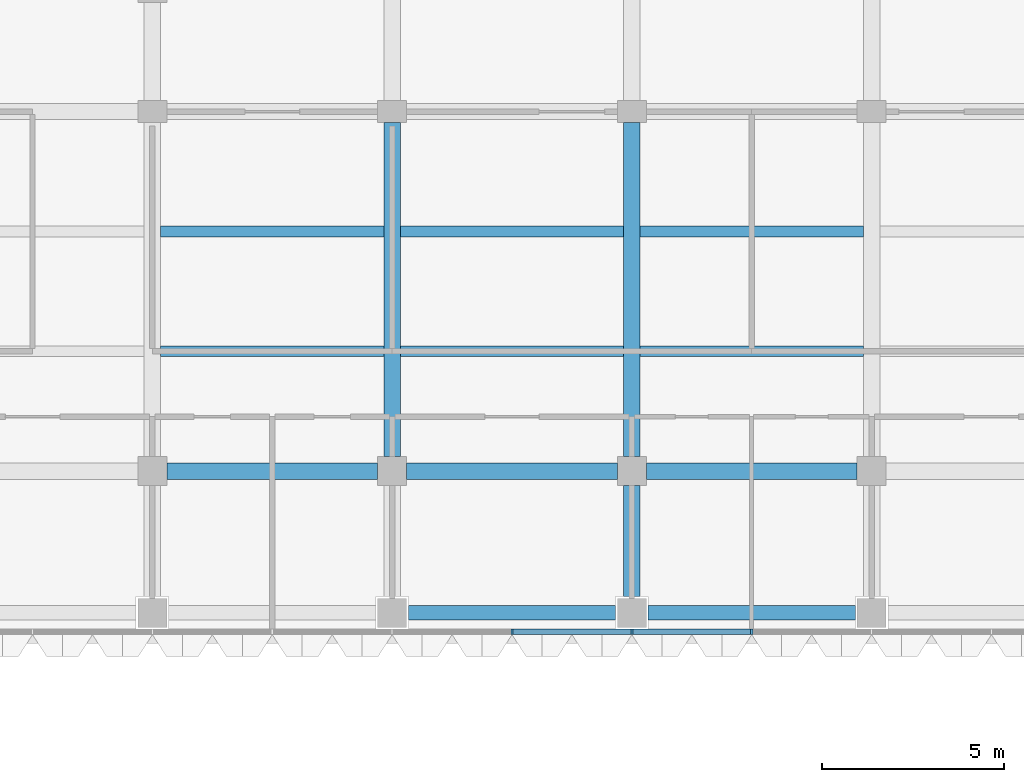
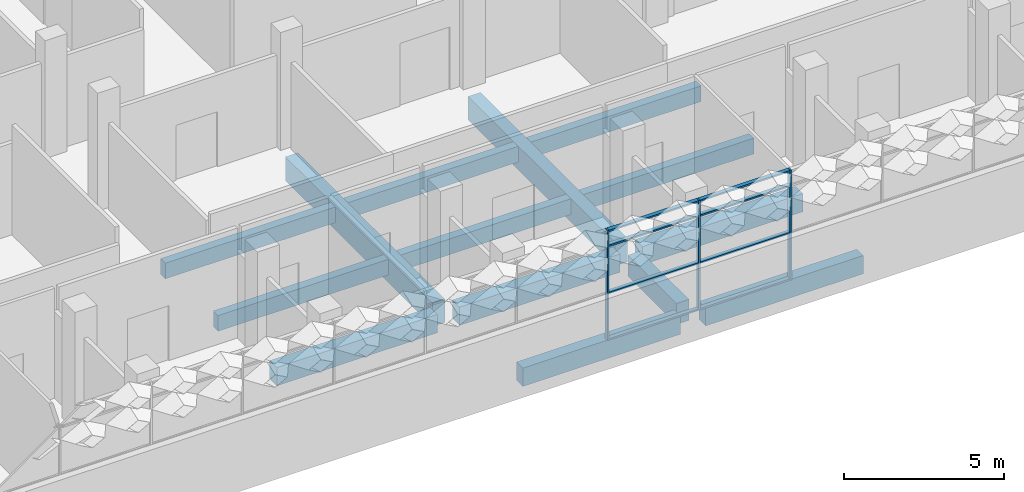
# One storey, part 3 of 102: 14 beams, 11 members, 1 element without a shape of its own.
"""IFC4 building model written with IfcOpenShell, lengths in metres."""

from ifc_helpers import new_model, si_unit, direction, frame, origin, origin_2d, place, context, subcontext, project, spatial, rectangle, extrude, material, material_profile, profile_set, type_object, element, aggregate, save


model = new_model("IFC4")

# Units and contexts
model_context = context("Model", 3, precision=1e-05, world=origin(), true_north=direction((0.0, 1.0)))
body_context = subcontext(model_context, "Body", "Model", "MODEL_VIEW")
ifc_project = project(units=[si_unit("LENGTHUNIT", "METRE"), si_unit("AREAUNIT", "SQUARE_METRE"), si_unit("VOLUMEUNIT", "CUBIC_METRE"), si_unit("PLANEANGLEUNIT", "RADIAN"), si_unit("MASSUNIT", "GRAM", prefix="KILO")], contexts=[model_context])

# Site, building, storey
site_placement = place(None, origin())
site = spatial("IfcSite", under=ifc_project, at=site_placement, CompositionType="ELEMENT")
building_placement = place(site_placement, origin())
building = spatial("IfcBuilding", under=site, at=building_placement, Name="Lantern Court Research Institute", CompositionType="ELEMENT")
storey_placement = place(building_placement, frame((0.0, 0.0, 9.89990234375)))
storey = spatial("IfcBuildingStorey", under=building, at=storey_placement, Name="L02", CompositionType="ELEMENT", Elevation=9.89990234375)

# Curtain wall, members
ifc_material_1 = material(Name="Aluminium alloy 6063-T6", Category="aluminium")
curtain_wall_type = type_object("IfcCurtainWallType", Name="Curtain wall 52800 x 4200 x 150 aluminium frame", PredefinedType="NOTDEFINED", material=ifc_material_1)
curtain_wall_placement = place(storey_placement, origin())
curtain_wall = element("IfcCurtainWall", 1, at=curtain_wall_placement, inside=storey, type_object=curtain_wall_type, Name="Curtain wall CW041", PredefinedType="NOTDEFINED")
ifc_material_2 = material(Name="Aluminium alloy 6063-T6", Category="aluminium")
ifc_material_profile_1 = material_profile(ifc_material_2, rectangle(XDim=0.14990234375, YDim=0.06005859375, at=origin_2d()), Name="Mullion 150 x 60")
ifc_profile_set_1 = profile_set([ifc_material_profile_1], Name="Aluminium alloy 6063-T6")
member_type_1 = type_object("IfcMemberType", Name="Mullion 150 x 60 aluminium", PredefinedType="MULLION", material=ifc_profile_set_1)
member_1_placement = place(storey_placement, frame((23.10009765625, -4.425048828125, 0.0), z_axis=(0.0, 0.0, 1.0), x_axis=(0.0, -1.0, 0.0)))
member_1 = element("IfcMember", 2, at=member_1_placement, type_object=member_type_1, Name="CW041 mullion 8", PredefinedType="MULLION", context=body_context, shape_type="SweptSolid", body=[
    extrude(rectangle(XDim=0.14990234375, YDim=0.06005859375, at=origin_2d()), origin(), (0.0, 0.0, 1.0), 4.2001953125),
])
member_2_placement = place(storey_placement, frame((26.39990234375, -4.425048828125, 0.0), z_axis=(0.0, 0.0, 1.0), x_axis=(0.0, -1.0, 0.0)))
member_2 = element("IfcMember", 3, at=member_2_placement, type_object=member_type_1, Name="CW041 mullion 9", PredefinedType="MULLION", context=body_context, shape_type="SweptSolid", body=[
    extrude(rectangle(XDim=0.14990234375, YDim=0.06005859375, at=origin_2d()), origin(), (0.0, 0.0, 1.0), 4.2001953125),
])
member_3_placement = place(storey_placement, frame((29.699951171875, -4.425048828125, 0.0), z_axis=(0.0, 0.0, 1.0), x_axis=(0.0, -1.0, 0.0)))
member_3 = element("IfcMember", 4, at=member_3_placement, type_object=member_type_1, Name="CW041 mullion 10", PredefinedType="MULLION", context=body_context, shape_type="SweptSolid", body=[
    extrude(rectangle(XDim=0.14990234375, YDim=0.06005859375, at=origin_2d()), origin(), (0.0, 0.0, 1.0), 4.2001953125),
])

# Beams
ifc_material_3 = material(Name="Concrete C40/50", Category="concrete")
ifc_material_profile_2 = material_profile(ifc_material_3, rectangle(XDim=0.449951171875, YDim=0.699951171875, at=origin_2d()), Name="RC beam 450 x 700")
ifc_profile_set_2 = profile_set([ifc_material_profile_2], Name="Concrete C40/50")
beam_type_1 = type_object("IfcBeamType", Name="RC beam 450 x 700", PredefinedType="BEAM", material=ifc_profile_set_2)
beam_1_placement = place(storey_placement, frame((13.60009765625, 0.0, -0.64990234375), z_axis=(1.0, 0.0, 0.0), x_axis=(0.0, 1.0, 0.0)))
element("IfcBeam", 5, at=beam_1_placement, inside=storey, type_object=beam_type_1, Name="Beam L02 grid A/3-4", PredefinedType="BEAM", context=body_context, shape_type="SweptSolid", body=[
    extrude(rectangle(XDim=0.449951171875, YDim=0.699951171875, at=origin_2d()), origin(), (0.0, 0.0, 1.0), 5.7998046875),
])
for number, where, z_axis, x_axis, name in (
    (6, (20.199951171875, 0.0, -0.64990234375), (1.0, 0.0, 0.0), (0.0, 1.0, 0.0), "Beam L02 grid A/4-5"),
    (7, (26.800048828125, 0.0, -0.64990234375), (1.0, 0.0, 0.0), (0.0, 1.0, 0.0), "Beam L02 grid A/5-6"),
):
    element("IfcBeam", number, at=place(storey_placement, frame(where, z_axis=z_axis, x_axis=x_axis)), inside=storey, type_object=beam_type_1, Name=name, PredefinedType="BEAM", context=body_context, shape_type="SweptSolid", body=[
        extrude(rectangle(XDim=0.449951171875, YDim=0.699951171875, at=origin_2d()), origin(), (0.0, 0.0, 1.0), 5.800048828125),
    ])
ifc_material_4 = material(Name="Concrete C40/50", Category="concrete")
ifc_material_profile_3 = material_profile(ifc_material_4, rectangle(XDim=0.39990234375, YDim=0.699951171875, at=origin_2d()), Name="RC beam 400 x 700")
ifc_profile_set_3 = profile_set([ifc_material_profile_3], Name="Concrete C40/50")
beam_type_2 = type_object("IfcBeamType", Name="RC edge beam 400 x 700", PredefinedType="BEAM", material=ifc_profile_set_3)
for number, where, z_axis, x_axis, name in (
    (8, (20.25, -3.89990234375, -0.64990234375), (1.0, 0.0, 0.0), (0.0, 1.0, 0.0), "Edge beam L02 grid Y/4-5"),
    (9, (26.85009765625, -3.89990234375, -0.64990234375), (1.0, 0.0, 0.0), (0.0, 1.0, 0.0), "Edge beam L02 grid Y/5-6"),
):
    element("IfcBeam", number, at=place(storey_placement, frame(where, z_axis=z_axis, x_axis=x_axis)), inside=storey, type_object=beam_type_2, Name=name, PredefinedType="BEAM", context=body_context, shape_type="SweptSolid", body=[
        extrude(rectangle(XDim=0.39990234375, YDim=0.699951171875, at=origin_2d()), origin(), (0.0, 0.0, 1.0), 5.699951171875),
    ])
ifc_material_5 = material(Name="Concrete C40/50", Category="concrete")
ifc_material_profile_4 = material_profile(ifc_material_5, rectangle(XDim=0.449951171875, YDim=0.800048828125, at=origin_2d()), Name="RC beam 450 x 800")
ifc_profile_set_4 = profile_set([ifc_material_profile_4], Name="Concrete C40/50")
beam_type_3 = type_object("IfcBeamType", Name="RC girder 450 x 800", PredefinedType="BEAM", material=ifc_profile_set_4)
beam_2_placement = place(storey_placement, frame((26.39990234375, -3.449951171875, -0.699951171875), z_axis=(0.0, 1.0, 0.0), x_axis=(-1.0, 0.0, 0.0)))
element("IfcBeam", 10, at=beam_2_placement, inside=storey, type_object=beam_type_3, Name="Girder L02 grid 5/Y-A", PredefinedType="BEAM", context=body_context, shape_type="SweptSolid", body=[
    extrude(rectangle(XDim=0.449951171875, YDim=0.800048828125, at=origin_2d()), origin(), (0.0, 0.0, 1.0), 3.050048828125),
])
ifc_material_6 = material(Name="Concrete C40/50", Category="concrete")
ifc_material_profile_5 = material_profile(ifc_material_6, rectangle(XDim=0.449951171875, YDim=0.89990234375, at=origin_2d()), Name="RC beam 450 x 900")
ifc_profile_set_5 = profile_set([ifc_material_profile_5], Name="Concrete C40/50")
beam_type_4 = type_object("IfcBeamType", Name="RC girder 450 x 900", PredefinedType="BEAM", material=ifc_profile_set_5)
for number, where, z_axis, x_axis, name in (
    (11, (19.800048828125, 0.39990234375, -0.75), (0.0, 1.0, 0.0), (-1.0, 0.0, 0.0), "Girder L02 grid 4/A-B"),
    (12, (26.39990234375, 0.39990234375, -0.75), (0.0, 1.0, 0.0), (-1.0, 0.0, 0.0), "Girder L02 grid 5/A-B"),
):
    element("IfcBeam", number, at=place(storey_placement, frame(where, z_axis=z_axis, x_axis=x_axis)), inside=storey, type_object=beam_type_4, Name=name, PredefinedType="BEAM", context=body_context, shape_type="SweptSolid", body=[
        extrude(rectangle(XDim=0.449951171875, YDim=0.89990234375, at=origin_2d()), origin(), (0.0, 0.0, 1.0), 9.2001953125),
    ])
ifc_material_7 = material(Name="Concrete C40/50", Category="concrete")
ifc_material_profile_6 = material_profile(ifc_material_7, rectangle(XDim=0.300048828125, YDim=0.60009765625, at=origin_2d()), Name="RC beam 300 x 600")
ifc_profile_set_6 = profile_set([ifc_material_profile_6], Name="Concrete C40/50")
beam_type_5 = type_object("IfcBeamType", Name="RC secondary beam 300 x 600", PredefinedType="BEAM", material=ifc_profile_set_6)
beam_3_placement = place(storey_placement, frame((13.425048828125, 3.300048828125, -0.599853515625), z_axis=(1.0, 0.0, 0.0), x_axis=(0.0, 1.0, 0.0)))
element("IfcBeam", 13, at=beam_3_placement, inside=storey, type_object=beam_type_5, Name="Secondary beam L02 grids 3-4 / A-B, line 1", PredefinedType="BEAM", context=body_context, shape_type="SweptSolid", body=[
    extrude(rectangle(XDim=0.300048828125, YDim=0.60009765625, at=origin_2d()), origin(), (0.0, 0.0, 1.0), 6.14990234375),
])
beam_4_placement = place(storey_placement, frame((20.02490234375, 3.300048828125, -0.599853515625), z_axis=(1.0, 0.0, 0.0), x_axis=(0.0, 1.0, 0.0)))
element("IfcBeam", 14, at=beam_4_placement, inside=storey, type_object=beam_type_5, Name="Secondary beam L02 grids 4-5 / A-B, line 1", PredefinedType="BEAM", context=body_context, shape_type="SweptSolid", body=[
    extrude(rectangle(XDim=0.300048828125, YDim=0.60009765625, at=origin_2d()), origin(), (0.0, 0.0, 1.0), 6.150146484375),
])
for number, where, z_axis, x_axis, name in (
    (15, (26.625, 3.300048828125, -0.599853515625), (1.0, 0.0, 0.0), (0.0, 1.0, 0.0), "Secondary beam L02 grids 5-6 / A-B, line 1"),
    (16, (13.425048828125, 6.60009765625, -0.599853515625), (1.0, 0.0, 0.0), (0.0, 1.0, 0.0), "Secondary beam L02 grids 3-4 / A-B, line 2"),
):
    element("IfcBeam", number, at=place(storey_placement, frame(where, z_axis=z_axis, x_axis=x_axis)), inside=storey, type_object=beam_type_5, Name=name, PredefinedType="BEAM", context=body_context, shape_type="SweptSolid", body=[
        extrude(rectangle(XDim=0.300048828125, YDim=0.60009765625, at=origin_2d()), origin(), (0.0, 0.0, 1.0), 6.14990234375),
    ])
beam_5_placement = place(storey_placement, frame((20.02490234375, 6.60009765625, -0.599853515625), z_axis=(1.0, 0.0, 0.0), x_axis=(0.0, 1.0, 0.0)))
element("IfcBeam", 17, at=beam_5_placement, inside=storey, type_object=beam_type_5, Name="Secondary beam L02 grids 4-5 / A-B, line 2", PredefinedType="BEAM", context=body_context, shape_type="SweptSolid", body=[
    extrude(rectangle(XDim=0.300048828125, YDim=0.60009765625, at=origin_2d()), origin(), (0.0, 0.0, 1.0), 6.150146484375),
])
beam_6_placement = place(storey_placement, frame((26.625, 6.60009765625, -0.599853515625), z_axis=(1.0, 0.0, 0.0), x_axis=(0.0, 1.0, 0.0)))
element("IfcBeam", 18, at=beam_6_placement, inside=storey, type_object=beam_type_5, Name="Secondary beam L02 grids 5-6 / A-B, line 2", PredefinedType="BEAM", context=body_context, shape_type="SweptSolid", body=[
    extrude(rectangle(XDim=0.300048828125, YDim=0.60009765625, at=origin_2d()), origin(), (0.0, 0.0, 1.0), 6.14990234375),
])

# Member
ifc_material_8 = material(Name="Aluminium alloy 6063-T6", Category="aluminium")
ifc_material_profile_7 = material_profile(ifc_material_8, rectangle(XDim=0.14990234375, YDim=0.06005859375, at=origin_2d()), Name="Transom 150 x 60")
ifc_profile_set_7 = profile_set([ifc_material_profile_7], Name="Aluminium alloy 6063-T6")
member_type_2 = type_object("IfcMemberType", Name="Transom 150 x 60 aluminium", PredefinedType="USERDEFINED", material=ifc_profile_set_7)
member_4_placement = place(storey_placement, frame((26.3701171875, -4.425048828125, 0.030029296875), z_axis=(-1.0, 0.0, 0.0), x_axis=(0.0, -1.0, 0.0)))
member_4 = element("IfcMember", 19, at=member_4_placement, type_object=member_type_2, Name="CW041 transom 8.1", ObjectType="TRANSOM", PredefinedType="USERDEFINED", context=body_context, shape_type="SweptSolid", body=[
    extrude(rectangle(XDim=0.14990234375, YDim=0.06005859375, at=origin_2d()), origin(), (0.0, 0.0, 1.0), 3.240234375),
])

member_5_placement = place(storey_placement, frame((26.3701171875, -4.425048828125, 1.800048828125), z_axis=(-1.0, 0.0, 0.0), x_axis=(0.0, -1.0, 0.0)))
member_5 = element("IfcMember", 20, at=member_5_placement, type_object=member_type_2, Name="CW041 transom 8.2", ObjectType="TRANSOM", PredefinedType="USERDEFINED", context=body_context, shape_type="SweptSolid", body=[
    extrude(rectangle(XDim=0.14990234375, YDim=0.06005859375, at=origin_2d()), origin(), (0.0, 0.0, 1.0), 3.240234375),
])

member_6_placement = place(storey_placement, frame((26.3701171875, -4.425048828125, 3.60009765625), z_axis=(-1.0, 0.0, 0.0), x_axis=(0.0, -1.0, 0.0)))
member_6 = element("IfcMember", 21, at=member_6_placement, type_object=member_type_2, Name="CW041 transom 8.3", ObjectType="TRANSOM", PredefinedType="USERDEFINED", context=body_context, shape_type="SweptSolid", body=[
    extrude(rectangle(XDim=0.14990234375, YDim=0.06005859375, at=origin_2d()), origin(), (0.0, 0.0, 1.0), 3.240234375),
])

member_7_placement = place(storey_placement, frame((26.3701171875, -4.425048828125, 4.170166015625), z_axis=(-1.0, 0.0, 0.0), x_axis=(0.0, -1.0, 0.0)))
member_7 = element("IfcMember", 22, at=member_7_placement, type_object=member_type_2, Name="CW041 transom 8.4", ObjectType="TRANSOM", PredefinedType="USERDEFINED", context=body_context, shape_type="SweptSolid", body=[
    extrude(rectangle(XDim=0.14990234375, YDim=0.06005859375, at=origin_2d()), origin(), (0.0, 0.0, 1.0), 3.240234375),
])

member_8_placement = place(storey_placement, frame((29.669921875, -4.425048828125, 0.030029296875), z_axis=(-1.0, 0.0, 0.0), x_axis=(0.0, -1.0, 0.0)))
member_8 = element("IfcMember", 23, at=member_8_placement, type_object=member_type_2, Name="CW041 transom 9.1", ObjectType="TRANSOM", PredefinedType="USERDEFINED", context=body_context, shape_type="SweptSolid", body=[
    extrude(rectangle(XDim=0.14990234375, YDim=0.06005859375, at=origin_2d()), origin(), (0.0, 0.0, 1.0), 3.239990234375),
])

member_9_placement = place(storey_placement, frame((29.669921875, -4.425048828125, 1.800048828125), z_axis=(-1.0, 0.0, 0.0), x_axis=(0.0, -1.0, 0.0)))
member_9 = element("IfcMember", 24, at=member_9_placement, type_object=member_type_2, Name="CW041 transom 9.2", ObjectType="TRANSOM", PredefinedType="USERDEFINED", context=body_context, shape_type="SweptSolid", body=[
    extrude(rectangle(XDim=0.14990234375, YDim=0.06005859375, at=origin_2d()), origin(), (0.0, 0.0, 1.0), 3.239990234375),
])

member_10_placement = place(storey_placement, frame((29.669921875, -4.425048828125, 3.60009765625), z_axis=(-1.0, 0.0, 0.0), x_axis=(0.0, -1.0, 0.0)))
member_10 = element("IfcMember", 25, at=member_10_placement, type_object=member_type_2, Name="CW041 transom 9.3", ObjectType="TRANSOM", PredefinedType="USERDEFINED", context=body_context, shape_type="SweptSolid", body=[
    extrude(rectangle(XDim=0.14990234375, YDim=0.06005859375, at=origin_2d()), origin(), (0.0, 0.0, 1.0), 3.239990234375),
])

member_11_placement = place(storey_placement, frame((29.669921875, -4.425048828125, 4.170166015625), z_axis=(-1.0, 0.0, 0.0), x_axis=(0.0, -1.0, 0.0)))
member_11 = element("IfcMember", 26, at=member_11_placement, type_object=member_type_2, Name="CW041 transom 9.4", ObjectType="TRANSOM", PredefinedType="USERDEFINED", context=body_context, shape_type="SweptSolid", body=[
    extrude(rectangle(XDim=0.14990234375, YDim=0.06005859375, at=origin_2d()), origin(), (0.0, 0.0, 1.0), 3.239990234375),
])

aggregate(curtain_wall, [member_1, member_2, member_3, member_4, member_5, member_6, member_7, member_8, member_9, member_10, member_11])

save(model, "model.ifc")
